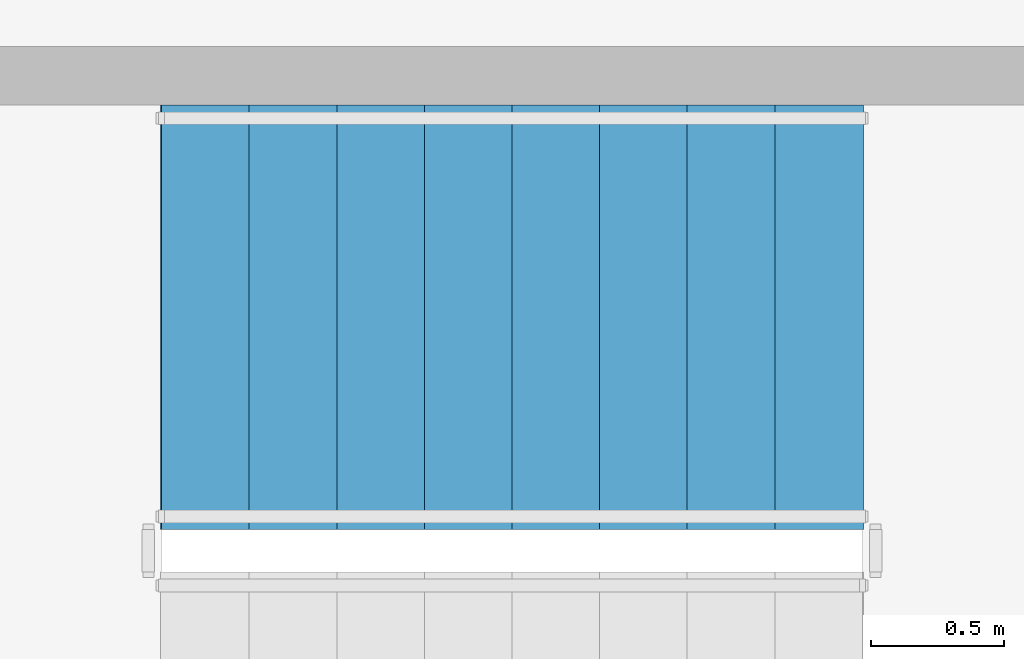
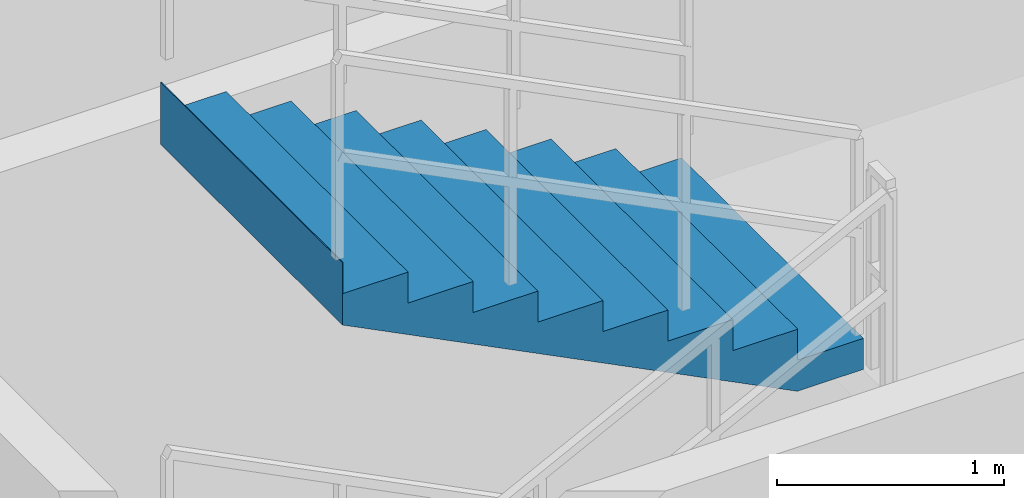
# One storey, part 9 of 17: 1 stair flight, 1 element without a shape of its own.
"""IFC4 building model written with IfcOpenShell, lengths in metres."""

import ifcopenshell
import ifcopenshell.guid

model = None  # the IFC model being written
_history = None  # IfcOwnerHistory: only IFC2X3 demands one
_inside = {}  # id of a spatial element -> (the spatial element, [elements in it])
_under = {}  # id of a project, library or spatial element -> (it, [spatial elements below it])
_declared = {}  # id of a project -> (the project, [libraries it declares])
_typed = {}  # id of a type object -> (the type object, [elements of that type])
_made_of = {}  # id of a material, layer set ... -> (it, [elements and type objects made of it])


def new_model(schema):
    """Start an empty IFC model of exactly this schema.

    Asked for "IFC4X3", IfcOpenShell would pick the latest addendum, in which some entities
    have other attributes; the version numbers below select the first issue.
    IFC2X3 requires an IfcOwnerHistory on every rooted entity: one is made here for all.
    """
    global model, _history
    if schema == "IFC4X3":
        model = ifcopenshell.file(schema_version=(4, 3, 0, 0))
    else:
        model = ifcopenshell.file(schema=schema)
    _inside.clear()
    _under.clear()
    _declared.clear()
    _typed.clear()
    _made_of.clear()
    _history = None
    if model.schema == "IFC2X3":
        org = make("IfcOrganization", Name="unknown")
        user = make(
            "IfcPersonAndOrganization",
            ThePerson=make("IfcPerson", FamilyName="unknown"),
            TheOrganization=org,
        )
        app = make(
            "IfcApplication",
            ApplicationDeveloper=org,
            Version="unknown",
            ApplicationFullName="unknown",
            ApplicationIdentifier="unknown",
        )
        _history = make(
            "IfcOwnerHistory",
            OwningUser=user,
            OwningApplication=app,
            ChangeAction="ADDED",
            CreationDate=0,
        )
    return model


def make(cls, **values):
    """One entity of the class cls with the attributes given. An attribute that is None is left unset."""
    return model.create_entity(
        cls, **{name: value for name, value in values.items() if value is not None}
    )


def rooted(cls, **values):
    """An entity with a GlobalId (a new one), such as an element, a storey or a relation."""
    return make(cls, GlobalId=ifcopenshell.guid.new(), OwnerHistory=_history, **values)


def si_unit(unit_type, name, prefix=None):
    """IfcSIUnit, for example si_unit("LENGTHUNIT", "METRE", prefix="MILLI")."""
    return make("IfcSIUnit", UnitType=unit_type, Prefix=prefix, Name=name)


def assignment(units):
    """IfcUnitAssignment: the units of a project."""
    return None if units is None else make("IfcUnitAssignment", Units=units)


def point(xyz):
    """IfcCartesianPoint."""
    return None if xyz is None else make("IfcCartesianPoint", Coordinates=xyz)


def direction(xyz):
    """IfcDirection."""
    return None if xyz is None else make("IfcDirection", DirectionRatios=xyz)


def frame(location, z_axis=None, x_axis=None):
    """IfcAxis2Placement3D, a coordinate frame: its origin and axes. An axis left out is left unset."""
    return make(
        "IfcAxis2Placement3D",
        Location=point(location),
        Axis=direction(z_axis),
        RefDirection=direction(x_axis),
    )


def origin():
    """The frame at (0, 0, 0) with its axes left unset."""
    return frame((0.0, 0.0, 0.0))


def place(relative_to, where):
    """IfcLocalPlacement: puts the frame where relative to a parent placement (None: the world)."""
    return make(
        "IfcLocalPlacement", PlacementRelTo=relative_to, RelativePlacement=where
    )


def context(
    kind, dimensions, precision=None, world=None, true_north=None, identifier=None
):
    """IfcGeometricRepresentationContext, for example the 3D "Model" context."""
    return make(
        "IfcGeometricRepresentationContext",
        ContextIdentifier=identifier,
        ContextType=kind,
        CoordinateSpaceDimension=dimensions,
        Precision=precision,
        WorldCoordinateSystem=world,
        TrueNorth=true_north,
    )


def subcontext(parent, identifier, kind, view, scale=None):
    """IfcGeometricRepresentationSubContext, for example "Body" below "Model"."""
    return make(
        "IfcGeometricRepresentationSubContext",
        ContextIdentifier=identifier,
        ContextType=kind,
        ParentContext=parent,
        TargetScale=scale,
        TargetView=view,
    )


def project(units=None, contexts=None):
    """IfcProject with its units and contexts."""
    return rooted(
        "IfcProject",
        Name="project",
        RepresentationContexts=contexts,
        UnitsInContext=assignment(units),
    )


def spatial(cls, under=None, at=None, **own):
    """A site, building, storey or space (cls), placed at a placement, below another one or the project."""
    s = rooted(cls, ObjectPlacement=at, **own)
    if under is not None:
        _under.setdefault(under.id(), (under, []))[1].append(s)
    return s


def polyline(points):
    """IfcPolyline through the points."""
    return make("IfcPolyline", Points=[point(p) for p in points])


def outline(outer, holes=None, kind="AREA"):
    """IfcArbitraryClosedProfileDef: a profile drawn as a closed curve; with holes, ...WithVoids."""
    if holes is None:
        return make("IfcArbitraryClosedProfileDef", ProfileType=kind, OuterCurve=outer)
    return make(
        "IfcArbitraryProfileDefWithVoids",
        ProfileType=kind,
        OuterCurve=outer,
        InnerCurves=holes,
    )


def extrude(swept, where, along, depth):
    """IfcExtrudedAreaSolid: the profile swept, set in the frame where, extruded along a direction by depth."""
    return make(
        "IfcExtrudedAreaSolid",
        SweptArea=swept,
        Position=where,
        ExtrudedDirection=direction(along),
        Depth=depth,
    )


def shape(context_of_items, identifier, shape_type, items):
    """IfcShapeRepresentation: the items that make up one representation, for example the "Body"."""
    return make(
        "IfcShapeRepresentation",
        ContextOfItems=context_of_items,
        RepresentationIdentifier=identifier,
        RepresentationType=shape_type,
        Items=items,
    )


def source(mapping_origin, context_of_items, identifier, shape_type, items):
    """IfcRepresentationMap: a shape defined once, which mapped items show again and again."""
    return make(
        "IfcRepresentationMap",
        MappingOrigin=mapping_origin,
        MappedRepresentation=shape(context_of_items, identifier, shape_type, items),
    )


def transform(
    local_origin,
    x_axis=None,
    y_axis=None,
    z_axis=None,
    scale=None,
    scale2=None,
    scale3=None,
    uniform=True,
):
    """IfcCartesianTransformationOperator3D, or its non-uniform kind. x_axis, y_axis, z_axis: its Axis1, 2, 3."""
    if uniform:
        return make(
            "IfcCartesianTransformationOperator3D",
            Axis1=direction(x_axis),
            Axis2=direction(y_axis),
            LocalOrigin=point(local_origin),
            Scale=scale,
            Axis3=direction(z_axis),
        )
    return make(
        "IfcCartesianTransformationOperator3DnonUniform",
        Axis1=direction(x_axis),
        Axis2=direction(y_axis),
        LocalOrigin=point(local_origin),
        Scale=scale,
        Axis3=direction(z_axis),
        Scale2=scale2,
        Scale3=scale3,
    )


def mapped(mapping_source, mapping_target):
    """IfcMappedItem: shows the shape of a source again, moved by a transform."""
    return make(
        "IfcMappedItem", MappingSource=mapping_source, MappingTarget=mapping_target
    )


def material(Name=None, Category=None):
    """IfcMaterial."""
    return make("IfcMaterial", Name=Name, Category=Category)


def made_of(thing, what):
    """Note that an element or type object is made of a material, layer set ...; save() writes the relation."""
    if what is not None:
        _made_of.setdefault(what.id(), (what, []))[1].append(thing)
    return thing


def type_object(cls, material=None, **own):
    """A type object (cls), such as IfcWallType, which elements share."""
    return made_of(rooted(cls, **own), material)


def element(
    cls,
    number,
    at=None,
    inside=None,
    cuts=None,
    type_object=None,
    material=None,
    context=None,
    identifier="Body",
    shape_type=None,
    held_by="IfcProductDefinitionShape",
    body=None,
    shapes=None,
    **own,
):
    """One element of the class cls, such as IfcWall. Its Tag is "e" and its number.

    at: its placement. inside: the storey or other place that contains it. cuts: it is an
    opening in that element (IfcRelVoidsElement). A single representation is given by context,
    identifier, shape_type and body (its items); several are given by shapes. held_by: the class
    of the entity that holds the representations. save() writes the other relations.
    """
    e = rooted(cls, Tag="e%d" % number, ObjectPlacement=at, **own)
    if body is not None:
        shapes = [shape(context, identifier, shape_type, body)]
    if shapes is not None:
        e.Representation = make(held_by, Representations=shapes)
    if inside is not None:
        _inside.setdefault(inside.id(), (inside, []))[1].append(e)
    if cuts is not None:
        rooted(
            "IfcRelVoidsElement", RelatingBuildingElement=cuts, RelatedOpeningElement=e
        )
    if type_object is not None:
        _typed.setdefault(type_object.id(), (type_object, []))[1].append(e)
    return made_of(e, material)


def aggregate(whole, parts):
    """IfcRelAggregates: a whole, such as a stair, and the parts it consists of."""
    return rooted("IfcRelAggregates", RelatingObject=whole, RelatedObjects=parts)


def save(model, path):
    """Write the relations noted so far, then the file.

    IfcRelAggregates (storeys below a building ...), IfcRelContainedInSpatialStructure (elements
    in a storey), IfcRelDefinesByType, IfcRelAssociatesMaterial and IfcRelDeclares: one each for
    every whole, place, type object, material and project.
    """
    for whole, parts in _under.values():
        aggregate(whole, parts)
    for where, things in _inside.values():
        rooted(
            "IfcRelContainedInSpatialStructure",
            RelatedElements=things,
            RelatingStructure=where,
        )
    for kind, things in _typed.values():
        rooted("IfcRelDefinesByType", RelatedObjects=things, RelatingType=kind)
    for what, things in _made_of.values():
        rooted("IfcRelAssociatesMaterial", RelatedObjects=things, RelatingMaterial=what)
    for by, libraries in _declared.values():
        rooted("IfcRelDeclares", RelatingContext=by, RelatedDefinitions=libraries)
    model.write(path)


model = new_model("IFC4")

# Units and contexts
model_context = context("Model", 3, precision=1e-05, world=origin(), true_north=direction((0.0, 1.0)))
body_context = subcontext(model_context, "Body", "Model", "MODEL_VIEW")
ifc_project = project(units=[si_unit("LENGTHUNIT", "METRE"), si_unit("AREAUNIT", "SQUARE_METRE"), si_unit("VOLUMEUNIT", "CUBIC_METRE"), si_unit("PLANEANGLEUNIT", "RADIAN"), si_unit("MASSUNIT", "GRAM", prefix="KILO")], contexts=[model_context])

# Site, building, storey
site_placement = place(None, origin())
site = spatial("IfcSite", under=ifc_project, at=site_placement, CompositionType="ELEMENT")
building_placement = place(site_placement, origin())
building = spatial("IfcBuilding", under=site, at=building_placement, Name="Ocotamira Hotel", CompositionType="ELEMENT")
storey_placement = place(building_placement, origin())
storey = spatial("IfcBuildingStorey", under=building, at=storey_placement, Name="L01", CompositionType="ELEMENT", Elevation=0.0)

# Stair, stair flight
ifc_material = material(Name="Concrete C40/50", Category="concrete")
stair_type = type_object("IfcStairType", Name="ST-POD-1600", PredefinedType="HALF_TURN_STAIR", material=ifc_material)
stair_placement = place(storey_placement, origin())
stair = element("IfcStair", 1, at=stair_placement, inside=storey, type_object=stair_type, Name="L01 Exit Stair ST-6", PredefinedType="HALF_TURN_STAIR")
stair_flight_type = type_object("IfcStairFlightType", Name="STF-POD-1600", PredefinedType="STRAIGHT", material=ifc_material)
shared_shape = source(origin(), body_context, "Body", "SweptSolid", [
    extrude(outline(polyline([(-0.00390625, 0.0), (-0.00390625, 0.166748046875), (0.330078125, 0.166748046875), (0.330078125, 0.333251953125), (0.659912109375, 0.333251953125), (0.659912109375, 0.5), (0.989990234375, 0.5), (0.989990234375, 0.666748046875), (1.320068359375, 0.666748046875), (1.320068359375, 0.833251953125), (1.64990234375, 0.833251953125), (1.64990234375, 1.0), (1.97998046875, 1.0), (1.97998046875, 1.166748046875), (2.31005859375, 1.166748046875), (2.31005859375, 1.333251953125), (2.639892578125, 1.333251953125), (2.639892578125, 1.5), (2.64404296875, 1.5), (2.64404296875, 1.165283203125), (0.33251953125, 0.0), (-0.00390625, 0.0)])), frame((0.0, 0.800048828125, 0.0), z_axis=(0.0, -1.0, 0.0), x_axis=(1.0, 0.0, 0.0)), (0.0, 0.0, 1.0), 1.60009765625),
])
stair_flight_placement = place(storey_placement, frame((58.820068359375, 48.760009765625, 4.5), z_axis=(0.0, 0.0, 1.0), x_axis=(-1.0, 0.0, 0.0)))
stair_flight = element("IfcStairFlight", 2, at=stair_flight_placement, type_object=stair_flight_type, Name="ST-6 flight 4", NumberOfRisers=9, NumberOfTreads=8, PredefinedType="STRAIGHT", RiserHeight=0.166666667, TreadLength=0.33, context=body_context, shape_type="MappedRepresentation", body=[
    mapped(shared_shape, transform((0.0, 0.0, 0.0), scale=1.0)),
])
aggregate(stair, [stair_flight])

save(model, "model.ifc")
